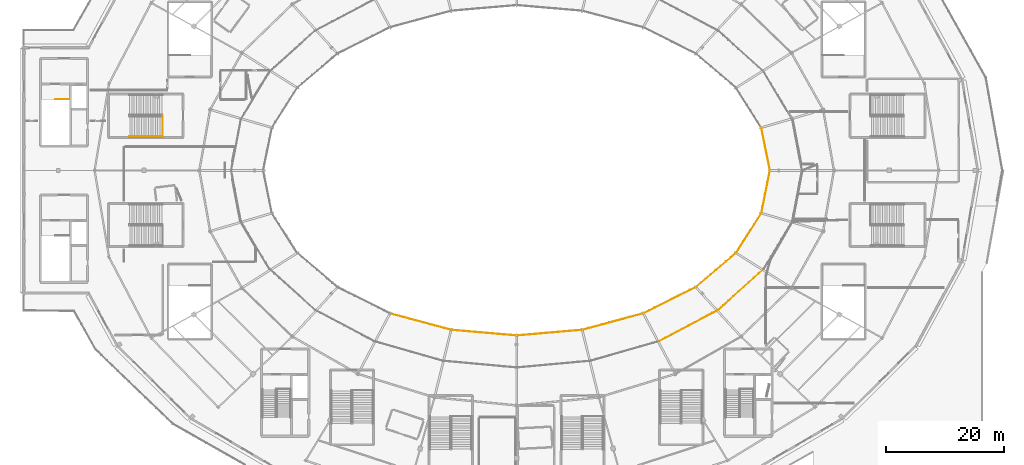
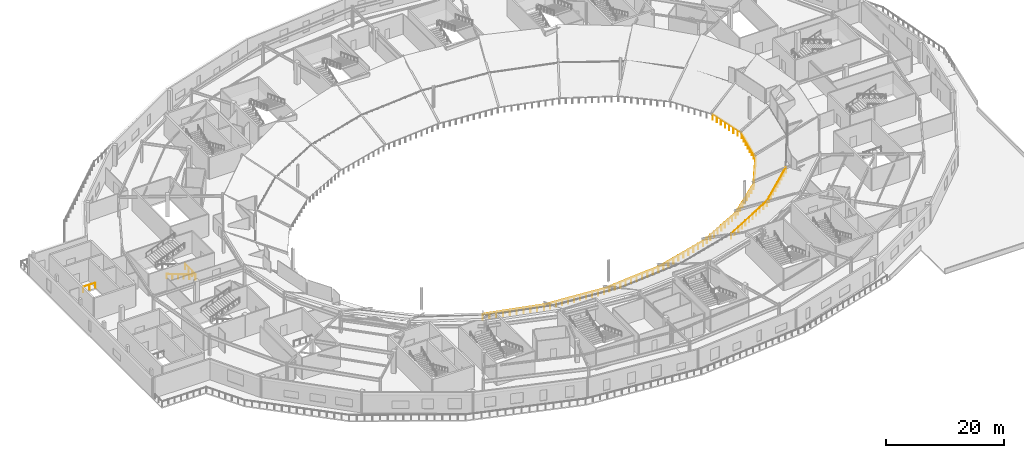
# One storey, part 52 of 63: 14 railings.
"""IFC4 building model written with IfcOpenShell, lengths in metres."""

from ifc_helpers import new_model, si_unit, direction, frame, origin, origin_2d, place, context, subcontext, project, spatial, circle, extrude, material, type_object, element, save


model = new_model("IFC4")

# Units and contexts
model_context = context("Model", 3, precision=1e-05, world=origin(), true_north=direction((0.0, 1.0)))
body_context = subcontext(model_context, "Body", "Model", "MODEL_VIEW")
ifc_project = project(units=[si_unit("LENGTHUNIT", "METRE"), si_unit("AREAUNIT", "SQUARE_METRE"), si_unit("VOLUMEUNIT", "CUBIC_METRE"), si_unit("PLANEANGLEUNIT", "RADIAN"), si_unit("MASSUNIT", "GRAM", prefix="KILO")], contexts=[model_context])

# Site, building, storey
site_placement = place(None, origin())
site = spatial("IfcSite", under=ifc_project, at=site_placement, CompositionType="ELEMENT")
building_placement = place(site_placement, origin())
building = spatial("IfcBuilding", under=site, at=building_placement, Name="Kalgoora Escarpment Arena", CompositionType="ELEMENT")
storey_placement = place(building_placement, frame((0.0, 0.0, 14.39990234375)))
storey = spatial("IfcBuildingStorey", under=building, at=storey_placement, Name="L03", CompositionType="ELEMENT", Elevation=14.39990234375)

# Railings
ifc_material_1 = material(Name="Galvanised & powdercoated tubular steel", Category="steel")
railing_type_1 = type_object("IfcRailingType", Name="RAL-GUARD-1120", PredefinedType="GUARDRAIL", material=ifc_material_1)
railing_1_placement = place(storey_placement, frame((16.2900390625, 76.110107421875, 0.0)))
element("IfcRailing", 1, at=railing_1_placement, inside=storey, type_object=railing_type_1, Name="ST01 top landing well guardrail", PredefinedType="GUARDRAIL", context=body_context, shape_type="SweptSolid", body=[
    extrude(circle(Radius=0.02392578125, at=origin_2d()), frame((0.0, 0.0, 1.09619140625), z_axis=(-1.0, 0.0, 0.0), x_axis=(0.0, -1.0, 0.0)), (0.0, 0.0, 1.0), 2.380126953125),
    extrude(circle(Radius=0.02099609375, at=origin_2d()), origin(), (0.0, 0.0, 1.0), 1.072021484375),
    extrude(circle(Radius=0.02099609375, at=origin_2d()), frame((-1.18994140625, 0.0, 0.0)), (0.0, 0.0, 1.0), 1.072021484375),
    extrude(circle(Radius=0.02099609375, at=origin_2d()), frame((-2.380126953125, 0.0, 0.0)), (0.0, 0.0, 1.0), 1.072021484375),
])
railing_2_placement = place(storey_placement, frame((32.18994140625, 69.81005859375, 0.0)))
element("IfcRailing", 2, at=railing_2_placement, inside=storey, type_object=railing_type_1, Name="ST17 L03 floor landing well guard", PredefinedType="GUARDRAIL", context=body_context, shape_type="SweptSolid", body=[
    extrude(circle(Radius=0.02392578125, at=origin_2d()), frame((0.0, 0.0, 1.09619140625), z_axis=(0.0, 1.0, 0.0), x_axis=(-1.0, 0.0, 0.0)), (0.0, 0.0, 1.0), 3.489990234375),
    extrude(circle(Radius=0.02099609375, at=origin_2d()), origin(), (0.0, 0.0, 1.0), 1.072021484375),
    extrude(circle(Radius=0.02099609375, at=origin_2d()), frame((0.0, 1.163330078125, 0.0)), (0.0, 0.0, 1.0), 1.072021484375),
    extrude(circle(Radius=0.02099609375, at=origin_2d()), frame((0.0, 2.32666015625, 0.0)), (0.0, 0.0, 1.0), 1.072021484375),
    extrude(circle(Radius=0.02099609375, at=origin_2d()), frame((0.0, 3.489990234375, 0.0)), (0.0, 0.0, 1.0), 1.072021484375),
])
railing_3_placement = place(storey_placement, frame((116.675048828125, 34.94482421875, 0.0)))
element("IfcRailing", 3, at=railing_3_placement, inside=storey, type_object=railing_type_1, Name="L03 concourse bowl balustrade 21", PredefinedType="GUARDRAIL", context=body_context, shape_type="SweptSolid", body=[
    extrude(circle(Radius=0.02392578125, at=origin_2d()), frame((0.0, 0.0, 1.09619140625), z_axis=(0.883475688989, 0.468477007936, 0.0), x_axis=(-0.468477007936, 0.883475688989, 0.0)), (0.0, 0.0, 1.0), 11.381103515625),
    extrude(circle(Radius=0.02099609375, at=origin_2d()), origin(), (0.0, 0.0, 1.0), 1.072021484375),
    extrude(circle(Radius=0.02099609375, at=origin_2d()), frame((1.00537109375, 0.533203125, 0.0)), (0.0, 0.0, 1.0), 1.072021484375),
    extrude(circle(Radius=0.02099609375, at=origin_2d()), frame((2.010986328125, 1.06640625, 0.0)), (0.0, 0.0, 1.0), 1.072021484375),
    extrude(circle(Radius=0.02099609375, at=origin_2d()), frame((3.0166015625, 1.599609375, 0.0)), (0.0, 0.0, 1.0), 1.072021484375),
    extrude(circle(Radius=0.02099609375, at=origin_2d()), frame((4.02197265625, 2.1328125, 0.0)), (0.0, 0.0, 1.0), 1.072021484375),
    extrude(circle(Radius=0.02099609375, at=origin_2d()), frame((5.02734375, 2.666015625, 0.0)), (0.0, 0.0, 1.0), 1.072021484375),
    extrude(circle(Radius=0.02099609375, at=origin_2d()), frame((6.032958984375, 3.198974609375, 0.0)), (0.0, 0.0, 1.0), 1.072021484375),
    extrude(circle(Radius=0.02099609375, at=origin_2d()), frame((7.038330078125, 3.732177734375, 0.0)), (0.0, 0.0, 1.0), 1.072021484375),
    extrude(circle(Radius=0.02099609375, at=origin_2d()), frame((8.0439453125, 4.265380859375, 0.0)), (0.0, 0.0, 1.0), 1.072021484375),
    extrude(circle(Radius=0.02099609375, at=origin_2d()), frame((9.04931640625, 4.798583984375, 0.0)), (0.0, 0.0, 1.0), 1.072021484375),
    extrude(circle(Radius=0.02099609375, at=origin_2d()), frame((10.054931640625, 5.331787109375, 0.0)), (0.0, 0.0, 1.0), 1.072021484375),
])
railing_4_placement = place(storey_placement, frame((126.72998046875, 40.276611328125, 0.0)))
element("IfcRailing", 4, at=railing_4_placement, inside=storey, type_object=railing_type_1, Name="L03 concourse bowl balustrade 22", PredefinedType="GUARDRAIL", context=body_context, shape_type="SweptSolid", body=[
    extrude(circle(Radius=0.02392578125, at=origin_2d()), frame((0.0, 0.0, 1.09619140625), z_axis=(0.743080153263, 0.66920242515, 0.0), x_axis=(-0.66920242515, 0.743080153263, 0.0)), (0.0, 0.0, 1.0), 10.38330078125),
    extrude(circle(Radius=0.02099609375, at=origin_2d()), origin(), (0.0, 0.0, 1.0), 1.072021484375),
    extrude(circle(Radius=0.02099609375, at=origin_2d()), frame((0.857177734375, 0.77197265625, 0.0)), (0.0, 0.0, 1.0), 1.072021484375),
    extrude(circle(Radius=0.02099609375, at=origin_2d()), frame((1.714599609375, 1.544189453125, 0.0)), (0.0, 0.0, 1.0), 1.072021484375),
    extrude(circle(Radius=0.02099609375, at=origin_2d()), frame((2.57177734375, 2.316162109375, 0.0)), (0.0, 0.0, 1.0), 1.072021484375),
    extrude(circle(Radius=0.02099609375, at=origin_2d()), frame((3.42919921875, 3.088134765625, 0.0)), (0.0, 0.0, 1.0), 1.072021484375),
    extrude(circle(Radius=0.02099609375, at=origin_2d()), frame((4.286376953125, 3.8603515625, 0.0)), (0.0, 0.0, 1.0), 1.072021484375),
    extrude(circle(Radius=0.02099609375, at=origin_2d()), frame((5.143798828125, 4.63232421875, 0.0)), (0.0, 0.0, 1.0), 1.072021484375),
    extrude(circle(Radius=0.02099609375, at=origin_2d()), frame((6.0009765625, 5.404296875, 0.0)), (0.0, 0.0, 1.0), 1.072021484375),
    extrude(circle(Radius=0.02099609375, at=origin_2d()), frame((6.8583984375, 6.176513671875, 0.0)), (0.0, 0.0, 1.0), 1.072021484375),
    extrude(circle(Radius=0.02099609375, at=origin_2d()), frame((7.715576171875, 6.948486328125, 0.0)), (0.0, 0.0, 1.0), 1.072021484375),
])
railing_5_placement = place(storey_placement, frame((135.5, 64.0, -3.5)))
element("IfcRailing", 5, at=railing_5_placement, inside=storey, type_object=railing_type_1, Name="Upper tier cantilevered front guard 01", PredefinedType="GUARDRAIL", context=body_context, shape_type="SweptSolid", body=[
    extrude(circle(Radius=0.02392578125, at=origin_2d()), frame((0.0, 0.0, 1.09619140625), z_axis=(-0.197925594583, 0.980217046888, 0.0), x_axis=(-0.980217046888, -0.197925594583, 0.0)), (0.0, 0.0, 1.0), 7.41943359375),
    extrude(circle(Radius=0.02099609375, at=origin_2d()), origin(), (0.0, 0.0, 1.0), 1.072021484375),
    extrude(circle(Radius=0.02099609375, at=origin_2d()), frame((-0.209716796875, 1.0390625, 0.0)), (0.0, 0.0, 1.0), 1.072021484375),
    extrude(circle(Radius=0.02099609375, at=origin_2d()), frame((-0.419677734375, 2.077880859375, 0.0)), (0.0, 0.0, 1.0), 1.072021484375),
    extrude(circle(Radius=0.02099609375, at=origin_2d()), frame((-0.62939453125, 3.116943359375, 0.0)), (0.0, 0.0, 1.0), 1.072021484375),
    extrude(circle(Radius=0.02099609375, at=origin_2d()), frame((-0.839111328125, 4.15576171875, 0.0)), (0.0, 0.0, 1.0), 1.072021484375),
    extrude(circle(Radius=0.02099609375, at=origin_2d()), frame((-1.048828125, 5.19482421875, 0.0)), (0.0, 0.0, 1.0), 1.072021484375),
    extrude(circle(Radius=0.02099609375, at=origin_2d()), frame((-1.2587890625, 6.233642578125, 0.0)), (0.0, 0.0, 1.0), 1.072021484375),
    extrude(circle(Radius=0.02099609375, at=origin_2d()), frame((-1.468505859375, 7.272705078125, 0.0)), (0.0, 0.0, 1.0), 1.072021484375),
])
railing_6_placement = place(storey_placement, frame((70.85009765625, 39.664794921875, -3.5)))
element("IfcRailing", 6, at=railing_6_placement, inside=storey, type_object=railing_type_1, Name="Upper tier cantilevered front guard 17", PredefinedType="GUARDRAIL", context=body_context, shape_type="SweptSolid", body=[
    extrude(circle(Radius=0.02392578125, at=origin_2d()), frame((0.0, 0.0, 1.09619140625), z_axis=(0.9654107635, -0.260733691183, 0.0), x_axis=(0.260733691183, 0.9654107635, 0.0)), (0.0, 0.0, 1.0), 10.76708984375),
    extrude(circle(Radius=0.02099609375, at=origin_2d()), origin(), (0.0, 0.0, 1.0), 1.072021484375),
    extrude(circle(Radius=0.02099609375, at=origin_2d()), frame((1.155029296875, -0.31201171875, 0.0)), (0.0, 0.0, 1.0), 1.072021484375),
    extrude(circle(Radius=0.02099609375, at=origin_2d()), frame((2.31005859375, -0.623779296875, 0.0)), (0.0, 0.0, 1.0), 1.072021484375),
    extrude(circle(Radius=0.02099609375, at=origin_2d()), frame((3.46484375, -0.935791015625, 0.0)), (0.0, 0.0, 1.0), 1.072021484375),
    extrude(circle(Radius=0.02099609375, at=origin_2d()), frame((4.619873046875, -1.247802734375, 0.0)), (0.0, 0.0, 1.0), 1.072021484375),
    extrude(circle(Radius=0.02099609375, at=origin_2d()), frame((5.77490234375, -1.5595703125, 0.0)), (0.0, 0.0, 1.0), 1.072021484375),
    extrude(circle(Radius=0.02099609375, at=origin_2d()), frame((6.929931640625, -1.87158203125, 0.0)), (0.0, 0.0, 1.0), 1.072021484375),
    extrude(circle(Radius=0.02099609375, at=origin_2d()), frame((8.084716796875, -2.18359375, 0.0)), (0.0, 0.0, 1.0), 1.072021484375),
    extrude(circle(Radius=0.02099609375, at=origin_2d()), frame((9.23974609375, -2.495361328125, 0.0)), (0.0, 0.0, 1.0), 1.072021484375),
    extrude(circle(Radius=0.02099609375, at=origin_2d()), frame((10.394775390625, -2.807373046875, 0.0)), (0.0, 0.0, 1.0), 1.072021484375),
])
railing_7_placement = place(storey_placement, frame((81.244873046875, 36.857421875, -3.5)))
element("IfcRailing", 7, at=railing_7_placement, inside=storey, type_object=railing_type_1, Name="Upper tier cantilevered front guard 18", PredefinedType="GUARDRAIL", context=body_context, shape_type="SweptSolid", body=[
    extrude(circle(Radius=0.02392578125, at=origin_2d()), frame((0.0, 0.0, 1.09619140625), z_axis=(0.996336198056, -0.085522981961, 0.0), x_axis=(0.085522981961, 0.996336198056, 0.0)), (0.0, 0.0, 1.0), 11.196044921875),
    extrude(circle(Radius=0.02099609375, at=origin_2d()), origin(), (0.0, 0.0, 1.0), 1.072021484375),
    extrude(circle(Radius=0.02099609375, at=origin_2d()), frame((1.115478515625, -0.095703125, 0.0)), (0.0, 0.0, 1.0), 1.072021484375),
    extrude(circle(Radius=0.02099609375, at=origin_2d()), frame((2.23095703125, -0.19140625, 0.0)), (0.0, 0.0, 1.0), 1.072021484375),
    extrude(circle(Radius=0.02099609375, at=origin_2d()), frame((3.346435546875, -0.287353515625, 0.0)), (0.0, 0.0, 1.0), 1.072021484375),
    extrude(circle(Radius=0.02099609375, at=origin_2d()), frame((4.4619140625, -0.383056640625, 0.0)), (0.0, 0.0, 1.0), 1.072021484375),
    extrude(circle(Radius=0.02099609375, at=origin_2d()), frame((5.57763671875, -0.478759765625, 0.0)), (0.0, 0.0, 1.0), 1.072021484375),
    extrude(circle(Radius=0.02099609375, at=origin_2d()), frame((6.693115234375, -0.574462890625, 0.0)), (0.0, 0.0, 1.0), 1.072021484375),
    extrude(circle(Radius=0.02099609375, at=origin_2d()), frame((7.80859375, -0.670166015625, 0.0)), (0.0, 0.0, 1.0), 1.072021484375),
    extrude(circle(Radius=0.02099609375, at=origin_2d()), frame((8.924072265625, -0.76611328125, 0.0)), (0.0, 0.0, 1.0), 1.072021484375),
    extrude(circle(Radius=0.02099609375, at=origin_2d()), frame((10.03955078125, -0.86181640625, 0.0)), (0.0, 0.0, 1.0), 1.072021484375),
    extrude(circle(Radius=0.02099609375, at=origin_2d()), frame((11.155029296875, -0.95751953125, 0.0)), (0.0, 0.0, 1.0), 1.072021484375),
])
railing_8_placement = place(storey_placement, frame((92.39990234375, 35.89990234375, -3.5)))
element("IfcRailing", 8, at=railing_8_placement, inside=storey, type_object=railing_type_1, Name="Upper tier cantilevered front guard 19", PredefinedType="GUARDRAIL", context=body_context, shape_type="SweptSolid", body=[
    extrude(circle(Radius=0.02392578125, at=origin_2d()), frame((0.0, 0.0, 1.09619140625), z_axis=(0.996336357543, 0.085521123923, 0.0), x_axis=(-0.085521123923, 0.996336357543, 0.0)), (0.0, 0.0, 1.0), 11.1962890625),
    extrude(circle(Radius=0.02099609375, at=origin_2d()), origin(), (0.0, 0.0, 1.0), 1.072021484375),
    extrude(circle(Radius=0.02099609375, at=origin_2d()), frame((1.115478515625, 0.095703125, 0.0)), (0.0, 0.0, 1.0), 1.072021484375),
    extrude(circle(Radius=0.02099609375, at=origin_2d()), frame((2.23095703125, 0.19140625, 0.0)), (0.0, 0.0, 1.0), 1.072021484375),
    extrude(circle(Radius=0.02099609375, at=origin_2d()), frame((3.3466796875, 0.287353515625, 0.0)), (0.0, 0.0, 1.0), 1.072021484375),
    extrude(circle(Radius=0.02099609375, at=origin_2d()), frame((4.462158203125, 0.383056640625, 0.0)), (0.0, 0.0, 1.0), 1.072021484375),
    extrude(circle(Radius=0.02099609375, at=origin_2d()), frame((5.57763671875, 0.478759765625, 0.0)), (0.0, 0.0, 1.0), 1.072021484375),
    extrude(circle(Radius=0.02099609375, at=origin_2d()), frame((6.693115234375, 0.574462890625, 0.0)), (0.0, 0.0, 1.0), 1.072021484375),
    extrude(circle(Radius=0.02099609375, at=origin_2d()), frame((7.80859375, 0.670166015625, 0.0)), (0.0, 0.0, 1.0), 1.072021484375),
    extrude(circle(Radius=0.02099609375, at=origin_2d()), frame((8.92431640625, 0.76611328125, 0.0)), (0.0, 0.0, 1.0), 1.072021484375),
    extrude(circle(Radius=0.02099609375, at=origin_2d()), frame((10.039794921875, 0.86181640625, 0.0)), (0.0, 0.0, 1.0), 1.072021484375),
    extrude(circle(Radius=0.02099609375, at=origin_2d()), frame((11.1552734375, 0.95751953125, 0.0)), (0.0, 0.0, 1.0), 1.072021484375),
])
railing_9_placement = place(storey_placement, frame((103.55517578125, 36.857421875, -3.5)))
element("IfcRailing", 9, at=railing_9_placement, inside=storey, type_object=railing_type_1, Name="Upper tier cantilevered front guard 20", PredefinedType="GUARDRAIL", context=body_context, shape_type="SweptSolid", body=[
    extrude(circle(Radius=0.02392578125, at=origin_2d()), frame((0.0, 0.0, 1.09619140625), z_axis=(0.9654107635, 0.260733691183, 0.0), x_axis=(-0.260733691183, 0.9654107635, 0.0)), (0.0, 0.0, 1.0), 10.76708984375),
    extrude(circle(Radius=0.02099609375, at=origin_2d()), origin(), (0.0, 0.0, 1.0), 1.072021484375),
    extrude(circle(Radius=0.02099609375, at=origin_2d()), frame((1.155029296875, 0.31201171875, 0.0)), (0.0, 0.0, 1.0), 1.072021484375),
    extrude(circle(Radius=0.02099609375, at=origin_2d()), frame((2.31005859375, 0.623779296875, 0.0)), (0.0, 0.0, 1.0), 1.072021484375),
    extrude(circle(Radius=0.02099609375, at=origin_2d()), frame((3.46484375, 0.935791015625, 0.0)), (0.0, 0.0, 1.0), 1.072021484375),
    extrude(circle(Radius=0.02099609375, at=origin_2d()), frame((4.619873046875, 1.247802734375, 0.0)), (0.0, 0.0, 1.0), 1.072021484375),
    extrude(circle(Radius=0.02099609375, at=origin_2d()), frame((5.77490234375, 1.5595703125, 0.0)), (0.0, 0.0, 1.0), 1.072021484375),
    extrude(circle(Radius=0.02099609375, at=origin_2d()), frame((6.929931640625, 1.87158203125, 0.0)), (0.0, 0.0, 1.0), 1.072021484375),
    extrude(circle(Radius=0.02099609375, at=origin_2d()), frame((8.084716796875, 2.18359375, 0.0)), (0.0, 0.0, 1.0), 1.072021484375),
    extrude(circle(Radius=0.02099609375, at=origin_2d()), frame((9.23974609375, 2.495361328125, 0.0)), (0.0, 0.0, 1.0), 1.072021484375),
    extrude(circle(Radius=0.02099609375, at=origin_2d()), frame((10.394775390625, 2.807373046875, 0.0)), (0.0, 0.0, 1.0), 1.072021484375),
])
railing_10_placement = place(storey_placement, frame((113.949951171875, 39.664794921875, -3.5)))
element("IfcRailing", 10, at=railing_10_placement, inside=storey, type_object=railing_type_1, Name="Upper tier cantilevered front guard 21", PredefinedType="GUARDRAIL", context=body_context, shape_type="SweptSolid", body=[
    extrude(circle(Radius=0.02392578125, at=origin_2d()), frame((0.0, 0.0, 1.09619140625), z_axis=(0.894329327099, 0.447409269787, 0.0), x_axis=(-0.447409269787, 0.894329327099, 0.0)), (0.0, 0.0, 1.0), 9.98095703125),
    extrude(circle(Radius=0.02099609375, at=origin_2d()), origin(), (0.0, 0.0, 1.0), 1.072021484375),
    extrude(circle(Radius=0.02099609375, at=origin_2d()), frame((0.99169921875, 0.49609375, 0.0)), (0.0, 0.0, 1.0), 1.072021484375),
    extrude(circle(Radius=0.02099609375, at=origin_2d()), frame((1.983642578125, 0.992431640625, 0.0)), (0.0, 0.0, 1.0), 1.072021484375),
    extrude(circle(Radius=0.02099609375, at=origin_2d()), frame((2.975341796875, 1.488525390625, 0.0)), (0.0, 0.0, 1.0), 1.072021484375),
    extrude(circle(Radius=0.02099609375, at=origin_2d()), frame((3.96728515625, 1.984619140625, 0.0)), (0.0, 0.0, 1.0), 1.072021484375),
    extrude(circle(Radius=0.02099609375, at=origin_2d()), frame((4.958984375, 2.48095703125, 0.0)), (0.0, 0.0, 1.0), 1.072021484375),
    extrude(circle(Radius=0.02099609375, at=origin_2d()), frame((5.950927734375, 2.97705078125, 0.0)), (0.0, 0.0, 1.0), 1.072021484375),
    extrude(circle(Radius=0.02099609375, at=origin_2d()), frame((6.942626953125, 3.47314453125, 0.0)), (0.0, 0.0, 1.0), 1.072021484375),
    extrude(circle(Radius=0.02099609375, at=origin_2d()), frame((7.9345703125, 3.969482421875, 0.0)), (0.0, 0.0, 1.0), 1.072021484375),
    extrude(circle(Radius=0.02099609375, at=origin_2d()), frame((8.92626953125, 4.465576171875, 0.0)), (0.0, 0.0, 1.0), 1.072021484375),
])
railing_11_placement = place(storey_placement, frame((122.876220703125, 44.13037109375, -3.5)))
element("IfcRailing", 11, at=railing_11_placement, inside=storey, type_object=railing_type_1, Name="Upper tier cantilevered front guard 22", PredefinedType="GUARDRAIL", context=body_context, shape_type="SweptSolid", body=[
    extrude(circle(Radius=0.02392578125, at=origin_2d()), frame((0.0, 0.0, 1.09619140625), z_axis=(0.762069994215, 0.647494651652, 0.0), x_axis=(-0.647494651652, 0.762069994215, 0.0)), (0.0, 0.0, 1.0), 8.98779296875),
    extrude(circle(Radius=0.02099609375, at=origin_2d()), origin(), (0.0, 0.0, 1.0), 1.072021484375),
    extrude(circle(Radius=0.02099609375, at=origin_2d()), frame((0.856201171875, 0.7275390625, 0.0)), (0.0, 0.0, 1.0), 1.072021484375),
    extrude(circle(Radius=0.02099609375, at=origin_2d()), frame((1.71240234375, 1.454833984375, 0.0)), (0.0, 0.0, 1.0), 1.072021484375),
    extrude(circle(Radius=0.02099609375, at=origin_2d()), frame((2.568603515625, 2.182373046875, 0.0)), (0.0, 0.0, 1.0), 1.072021484375),
    extrude(circle(Radius=0.02099609375, at=origin_2d()), frame((3.4248046875, 2.90966796875, 0.0)), (0.0, 0.0, 1.0), 1.072021484375),
    extrude(circle(Radius=0.02099609375, at=origin_2d()), frame((4.28076171875, 3.63720703125, 0.0)), (0.0, 0.0, 1.0), 1.072021484375),
    extrude(circle(Radius=0.02099609375, at=origin_2d()), frame((5.136962890625, 4.36474609375, 0.0)), (0.0, 0.0, 1.0), 1.072021484375),
    extrude(circle(Radius=0.02099609375, at=origin_2d()), frame((5.9931640625, 5.092041015625, 0.0)), (0.0, 0.0, 1.0), 1.072021484375),
    extrude(circle(Radius=0.02099609375, at=origin_2d()), frame((6.849365234375, 5.819580078125, 0.0)), (0.0, 0.0, 1.0), 1.072021484375),
])
railing_12_placement = place(storey_placement, frame((129.7255859375, 49.949951171875, -3.5)))
element("IfcRailing", 12, at=railing_12_placement, inside=storey, type_object=railing_type_1, Name="Upper tier cantilevered front guard 23", PredefinedType="GUARDRAIL", context=body_context, shape_type="SweptSolid", body=[
    extrude(circle(Radius=0.02392578125, at=origin_2d()), frame((0.0, 0.0, 1.09619140625), z_axis=(0.536259550961, 0.844053134585, 0.0), x_axis=(-0.844053134585, 0.536259550961, 0.0)), (0.0, 0.0, 1.0), 8.029541015625),
    extrude(circle(Radius=0.02099609375, at=origin_2d()), origin(), (0.0, 0.0, 1.0), 1.072021484375),
    extrude(circle(Radius=0.02099609375, at=origin_2d()), frame((0.615234375, 0.96826171875, 0.0)), (0.0, 0.0, 1.0), 1.072021484375),
    extrude(circle(Radius=0.02099609375, at=origin_2d()), frame((1.230224609375, 1.936279296875, 0.0)), (0.0, 0.0, 1.0), 1.072021484375),
    extrude(circle(Radius=0.02099609375, at=origin_2d()), frame((1.845458984375, 2.904541015625, 0.0)), (0.0, 0.0, 1.0), 1.072021484375),
    extrude(circle(Radius=0.02099609375, at=origin_2d()), frame((2.46044921875, 3.872802734375, 0.0)), (0.0, 0.0, 1.0), 1.072021484375),
    extrude(circle(Radius=0.02099609375, at=origin_2d()), frame((3.07568359375, 4.841064453125, 0.0)), (0.0, 0.0, 1.0), 1.072021484375),
    extrude(circle(Radius=0.02099609375, at=origin_2d()), frame((3.690673828125, 5.80908203125, 0.0)), (0.0, 0.0, 1.0), 1.072021484375),
    extrude(circle(Radius=0.02099609375, at=origin_2d()), frame((4.305908203125, 6.77734375, 0.0)), (0.0, 0.0, 1.0), 1.072021484375),
])
railing_13_placement = place(storey_placement, frame((134.031494140625, 56.727294921875, -3.5)))
element("IfcRailing", 13, at=railing_13_placement, inside=storey, type_object=railing_type_1, Name="Upper tier cantilevered front guard 24", PredefinedType="GUARDRAIL", context=body_context, shape_type="SweptSolid", body=[
    extrude(circle(Radius=0.02392578125, at=origin_2d()), frame((0.0, 0.0, 1.09619140625), z_axis=(0.197925594583, 0.980217046888, 0.0), x_axis=(-0.980217046888, 0.197925594583, 0.0)), (0.0, 0.0, 1.0), 7.41943359375),
    extrude(circle(Radius=0.02099609375, at=origin_2d()), origin(), (0.0, 0.0, 1.0), 1.072021484375),
    extrude(circle(Radius=0.02099609375, at=origin_2d()), frame((0.209716796875, 1.0390625, 0.0)), (0.0, 0.0, 1.0), 1.072021484375),
    extrude(circle(Radius=0.02099609375, at=origin_2d()), frame((0.419677734375, 2.077880859375, 0.0)), (0.0, 0.0, 1.0), 1.072021484375),
    extrude(circle(Radius=0.02099609375, at=origin_2d()), frame((0.62939453125, 3.116943359375, 0.0)), (0.0, 0.0, 1.0), 1.072021484375),
    extrude(circle(Radius=0.02099609375, at=origin_2d()), frame((0.839111328125, 4.15576171875, 0.0)), (0.0, 0.0, 1.0), 1.072021484375),
    extrude(circle(Radius=0.02099609375, at=origin_2d()), frame((1.048828125, 5.19482421875, 0.0)), (0.0, 0.0, 1.0), 1.072021484375),
    extrude(circle(Radius=0.02099609375, at=origin_2d()), frame((1.2587890625, 6.233642578125, 0.0)), (0.0, 0.0, 1.0), 1.072021484375),
    extrude(circle(Radius=0.02099609375, at=origin_2d()), frame((1.468505859375, 7.272705078125, 0.0)), (0.0, 0.0, 1.0), 1.072021484375),
])
ifc_material_2 = material(Name="Brushed stainless steel 316 handrail", Category="steel")
railing_type_2 = type_object("IfcRailingType", Name="RAL-HAND-920", PredefinedType="HANDRAIL", material=ifc_material_2)
railing_14_placement = place(storey_placement, frame((32.110107421875, 69.800048828125, 0.110107421875)))
element("IfcRailing", 14, at=railing_14_placement, inside=storey, type_object=railing_type_2, Name="ST17 L03 pitched stair handrail F1L", PredefinedType="HANDRAIL", context=body_context, shape_type="SweptSolid", body=[
    extrude(circle(Radius=0.02392578125, at=origin_2d()), frame((0.0, 0.0, 0.89599609375), z_axis=(-0.935492612948, 0.0, 0.353346248203), x_axis=(0.0, -1.0, 0.0)), (0.0, 0.0, 1.0), 5.943359375),
    extrude(circle(Radius=0.02099609375, at=origin_2d()), origin(), (0.0, 0.0, 1.0), 0.871826171875),
    extrude(circle(Radius=0.02099609375, at=origin_2d()), frame((-1.112060546875, 0.0, 0.419921875)), (0.0, 0.0, 1.0), 0.871826171875),
    extrude(circle(Radius=0.02099609375, at=origin_2d()), frame((-2.22412109375, 0.0, 0.840087890625)), (0.0, 0.0, 1.0), 0.871826171875),
    extrude(circle(Radius=0.02099609375, at=origin_2d()), frame((-3.3359375, 0.0, 1.260009765625)), (0.0, 0.0, 1.0), 0.871826171875),
    extrude(circle(Radius=0.02099609375, at=origin_2d()), frame((-4.447998046875, 0.0, 1.68017578125)), (0.0, 0.0, 1.0), 0.871826171875),
    extrude(circle(Radius=0.02099609375, at=origin_2d()), frame((-5.56005859375, 0.0, 2.10009765625)), (0.0, 0.0, 1.0), 0.871826171875),
])

save(model, "model.ifc")
